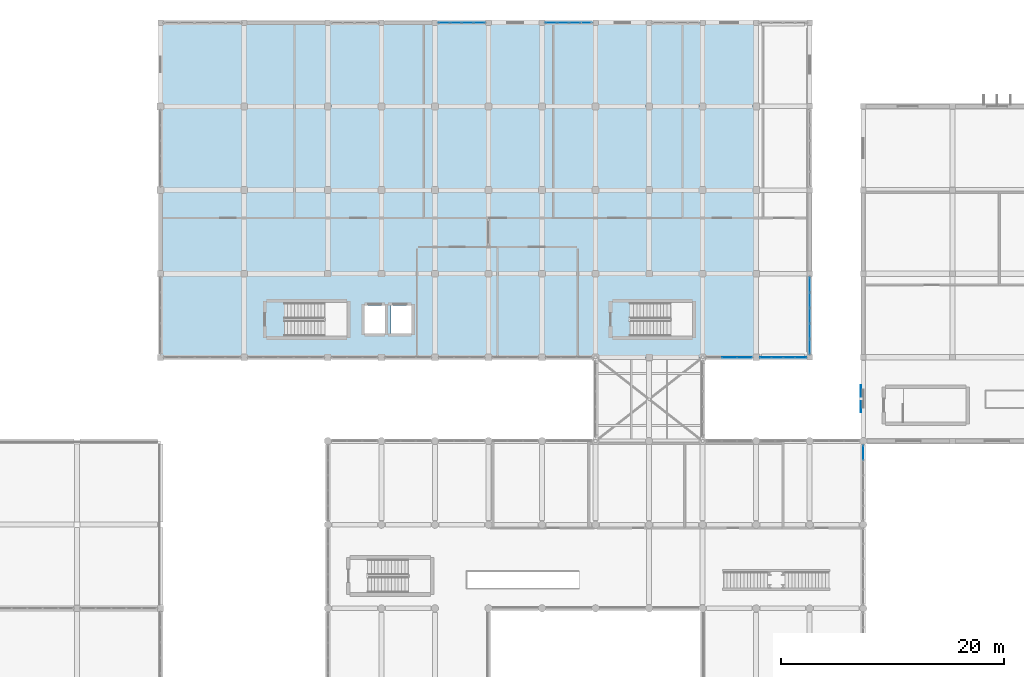
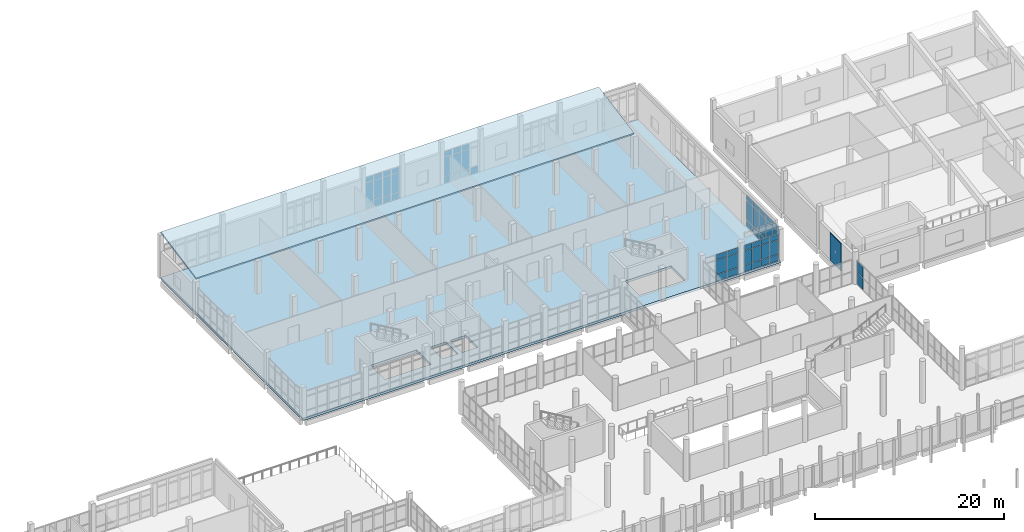
# One storey, part 134 of 164: 58 plates, 2 slabs, 6 elements without a shape of their own.
"""IFC4 building model written with IfcOpenShell, lengths in metres."""

from ifc_helpers import new_model, si_unit, direction, frame, origin, origin_2d, place, context, subcontext, project, spatial, polyline, rectangle, outline, extrude, material, layer, layer_set, type_object, element, aggregate, save


model = new_model("IFC4")

# Units and contexts
model_context = context("Model", 3, precision=1e-05, world=origin(), true_north=direction((0.0, 1.0)))
body_context = subcontext(model_context, "Body", "Model", "MODEL_VIEW")
ifc_project = project(units=[si_unit("LENGTHUNIT", "METRE"), si_unit("AREAUNIT", "SQUARE_METRE"), si_unit("VOLUMEUNIT", "CUBIC_METRE"), si_unit("PLANEANGLEUNIT", "RADIAN"), si_unit("MASSUNIT", "GRAM", prefix="KILO")], contexts=[model_context])

# Site, building, storey
site_placement = place(None, origin())
site = spatial("IfcSite", under=ifc_project, at=site_placement, CompositionType="ELEMENT")
building_placement = place(site_placement, origin())
building = spatial("IfcBuilding", under=site, at=building_placement, Name="Mawjan Specialist Oncology Clinic", CompositionType="ELEMENT")
storey_placement = place(building_placement, frame((0.0, 0.0, 5.0)))
storey = spatial("IfcBuildingStorey", under=building, at=storey_placement, Name="L01", CompositionType="ELEMENT", Elevation=5.0)

# Curtain wall, plates
ifc_material_1 = material(Name="Unitised spectrally selective aluminium curtain wall", Category="aluminium")
ifc_layer_1 = layer(ifc_material_1, 0.179931640625, Name="Unitised spectrally selective aluminium curtain wall", Category="aluminium")
ifc_layer_set_1 = layer_set([ifc_layer_1], Name="Unitised spectrally selective aluminium curtain wall")
curtain_wall_type_1 = type_object("IfcCurtainWallType", Name="CW-63", PredefinedType="NOTDEFINED", material=ifc_layer_set_1)
curtain_wall_1_placement = place(storey_placement, origin())
curtain_wall_1 = element("IfcCurtainWall", 1, at=curtain_wall_1_placement, inside=storey, type_object=curtain_wall_type_1, Name="L01 Unitised Curtain Wall CW-L01-120", PredefinedType="NOTDEFINED")
ifc_material_2 = material(Name="Spectrally selective double low-E glazing", Category="glass")
ifc_layer_2 = layer(ifc_material_2, 0.031982421875, Name="Spectrally selective double low-E glazing", Category="glass")
ifc_layer_set_2 = layer_set([ifc_layer_2], Name="Spectrally selective double low-E glazing")
plate_type_1 = type_object("IfcPlateType", Name="CW-P32", PredefinedType="CURTAIN_PANEL", material=ifc_layer_set_2)
plate_1_placement = place(storey_placement, frame((70.419921875, 113.300048828125, 0.070068359375), z_axis=(0.0, 0.0, 1.0), x_axis=(1.0, 0.0, 0.0)))
plate_1 = element("IfcPlate", 2, at=plate_1_placement, type_object=plate_type_1, Name="CW-63 panel 1.1", PredefinedType="CURTAIN_PANEL", context=body_context, shape_type="SweptSolid", body=[
    extrude(rectangle(XDim=0.9599609375, YDim=0.031982421875, at=origin_2d()), origin(), (0.0, 0.0, 1.0), 0.794921875),
])
plate_2_placement = place(storey_placement, frame((70.419921875, 113.300048828125, 0.93505859375), z_axis=(0.0, 0.0, 1.0), x_axis=(1.0, 0.0, 0.0)))
plate_2 = element("IfcPlate", 3, at=plate_2_placement, type_object=plate_type_1, Name="CW-63 panel 1.2", PredefinedType="CURTAIN_PANEL", context=body_context, shape_type="SweptSolid", body=[
    extrude(rectangle(XDim=0.9599609375, YDim=0.031982421875, at=origin_2d()), origin(), (0.0, 0.0, 1.0), 2.449951171875),
])
plate_3_placement = place(storey_placement, frame((70.419921875, 113.300048828125, 3.455078125), z_axis=(0.0, 0.0, 1.0), x_axis=(1.0, 0.0, 0.0)))
plate_3 = element("IfcPlate", 4, at=plate_3_placement, type_object=plate_type_1, Name="CW-63 panel 1.3", PredefinedType="CURTAIN_PANEL", context=body_context, shape_type="SweptSolid", body=[
    extrude(rectangle(XDim=0.9599609375, YDim=0.031982421875, at=origin_2d()), origin(), (0.0, 0.0, 1.0), 0.64501953125),
])
plate_4_placement = place(storey_placement, frame((71.467529296875, 113.300048828125, 0.070068359375), z_axis=(0.0, 0.0, 1.0), x_axis=(1.0, 0.0, 0.0)))
plate_4 = element("IfcPlate", 5, at=plate_4_placement, type_object=plate_type_1, Name="CW-63 panel 2.1", PredefinedType="CURTAIN_PANEL", context=body_context, shape_type="SweptSolid", body=[
    extrude(rectangle(XDim=0.9951171875, YDim=0.031982421875, at=origin_2d()), origin(), (0.0, 0.0, 1.0), 0.794921875),
])
plate_5_placement = place(storey_placement, frame((71.467529296875, 113.300048828125, 0.93505859375), z_axis=(0.0, 0.0, 1.0), x_axis=(1.0, 0.0, 0.0)))
plate_5 = element("IfcPlate", 6, at=plate_5_placement, type_object=plate_type_1, Name="CW-63 panel 2.2", PredefinedType="CURTAIN_PANEL", context=body_context, shape_type="SweptSolid", body=[
    extrude(rectangle(XDim=0.9951171875, YDim=0.031982421875, at=origin_2d()), origin(), (0.0, 0.0, 1.0), 2.449951171875),
])
plate_6_placement = place(storey_placement, frame((71.467529296875, 113.300048828125, 3.455078125), z_axis=(0.0, 0.0, 1.0), x_axis=(1.0, 0.0, 0.0)))
plate_6 = element("IfcPlate", 7, at=plate_6_placement, type_object=plate_type_1, Name="CW-63 panel 2.3", PredefinedType="CURTAIN_PANEL", context=body_context, shape_type="SweptSolid", body=[
    extrude(rectangle(XDim=0.9951171875, YDim=0.031982421875, at=origin_2d()), origin(), (0.0, 0.0, 1.0), 0.64501953125),
])
plate_7_placement = place(storey_placement, frame((72.532470703125, 113.300048828125, 0.070068359375), z_axis=(0.0, 0.0, 1.0), x_axis=(1.0, 0.0, 0.0)))
plate_7 = element("IfcPlate", 8, at=plate_7_placement, type_object=plate_type_1, Name="CW-63 panel 3.1", PredefinedType="CURTAIN_PANEL", context=body_context, shape_type="SweptSolid", body=[
    extrude(rectangle(XDim=0.9951171875, YDim=0.031982421875, at=origin_2d()), origin(), (0.0, 0.0, 1.0), 0.794921875),
])
plate_8_placement = place(storey_placement, frame((72.532470703125, 113.300048828125, 0.93505859375), z_axis=(0.0, 0.0, 1.0), x_axis=(1.0, 0.0, 0.0)))
plate_8 = element("IfcPlate", 9, at=plate_8_placement, type_object=plate_type_1, Name="CW-63 panel 3.2", PredefinedType="CURTAIN_PANEL", context=body_context, shape_type="SweptSolid", body=[
    extrude(rectangle(XDim=0.9951171875, YDim=0.031982421875, at=origin_2d()), origin(), (0.0, 0.0, 1.0), 2.449951171875),
])
plate_9_placement = place(storey_placement, frame((72.532470703125, 113.300048828125, 3.455078125), z_axis=(0.0, 0.0, 1.0), x_axis=(1.0, 0.0, 0.0)))
plate_9 = element("IfcPlate", 10, at=plate_9_placement, type_object=plate_type_1, Name="CW-63 panel 3.3", PredefinedType="CURTAIN_PANEL", context=body_context, shape_type="SweptSolid", body=[
    extrude(rectangle(XDim=0.9951171875, YDim=0.031982421875, at=origin_2d()), origin(), (0.0, 0.0, 1.0), 0.64501953125),
])
plate_10_placement = place(storey_placement, frame((73.580078125, 113.300048828125, 0.070068359375), z_axis=(0.0, 0.0, 1.0), x_axis=(1.0, 0.0, 0.0)))
plate_10 = element("IfcPlate", 11, at=plate_10_placement, type_object=plate_type_1, Name="CW-63 panel 4.1", PredefinedType="CURTAIN_PANEL", context=body_context, shape_type="SweptSolid", body=[
    extrude(rectangle(XDim=0.9599609375, YDim=0.031982421875, at=origin_2d()), origin(), (0.0, 0.0, 1.0), 0.794921875),
])
plate_11_placement = place(storey_placement, frame((73.580078125, 113.300048828125, 0.93505859375), z_axis=(0.0, 0.0, 1.0), x_axis=(1.0, 0.0, 0.0)))
plate_11 = element("IfcPlate", 12, at=plate_11_placement, type_object=plate_type_1, Name="CW-63 panel 4.2", PredefinedType="CURTAIN_PANEL", context=body_context, shape_type="SweptSolid", body=[
    extrude(rectangle(XDim=0.9599609375, YDim=0.031982421875, at=origin_2d()), origin(), (0.0, 0.0, 1.0), 2.449951171875),
])
plate_12_placement = place(storey_placement, frame((73.580078125, 113.300048828125, 3.455078125), z_axis=(0.0, 0.0, 1.0), x_axis=(1.0, 0.0, 0.0)))
plate_12 = element("IfcPlate", 13, at=plate_12_placement, type_object=plate_type_1, Name="CW-63 panel 4.3", PredefinedType="CURTAIN_PANEL", context=body_context, shape_type="SweptSolid", body=[
    extrude(rectangle(XDim=0.9599609375, YDim=0.031982421875, at=origin_2d()), origin(), (0.0, 0.0, 1.0), 0.64501953125),
])
aggregate(curtain_wall_1, [plate_1, plate_2, plate_3, plate_4, plate_5, plate_6, plate_7, plate_8, plate_9, plate_10, plate_11, plate_12])

curtain_wall_2_placement = place(storey_placement, origin())
curtain_wall_2 = element("IfcCurtainWall", 14, at=curtain_wall_2_placement, inside=storey, type_object=curtain_wall_type_1, Name="L01 Unitised Curtain Wall CW-L01-121", PredefinedType="NOTDEFINED")
plate_13_placement = place(storey_placement, frame((80.02001953125, 113.300048828125, 0.070068359375), z_axis=(0.0, 0.0, 1.0), x_axis=(1.0, 0.0, 0.0)))
plate_13 = element("IfcPlate", 15, at=plate_13_placement, type_object=plate_type_1, Name="CW-63 panel 1.1", PredefinedType="CURTAIN_PANEL", context=body_context, shape_type="SweptSolid", body=[
    extrude(rectangle(XDim=0.9599609375, YDim=0.031982421875, at=origin_2d()), origin(), (0.0, 0.0, 1.0), 0.794921875),
])
plate_14_placement = place(storey_placement, frame((80.02001953125, 113.300048828125, 0.93505859375), z_axis=(0.0, 0.0, 1.0), x_axis=(1.0, 0.0, 0.0)))
plate_14 = element("IfcPlate", 16, at=plate_14_placement, type_object=plate_type_1, Name="CW-63 panel 1.2", PredefinedType="CURTAIN_PANEL", context=body_context, shape_type="SweptSolid", body=[
    extrude(rectangle(XDim=0.9599609375, YDim=0.031982421875, at=origin_2d()), origin(), (0.0, 0.0, 1.0), 2.449951171875),
])
plate_15_placement = place(storey_placement, frame((80.02001953125, 113.300048828125, 3.455078125), z_axis=(0.0, 0.0, 1.0), x_axis=(1.0, 0.0, 0.0)))
plate_15 = element("IfcPlate", 17, at=plate_15_placement, type_object=plate_type_1, Name="CW-63 panel 1.3", PredefinedType="CURTAIN_PANEL", context=body_context, shape_type="SweptSolid", body=[
    extrude(rectangle(XDim=0.9599609375, YDim=0.031982421875, at=origin_2d()), origin(), (0.0, 0.0, 1.0), 0.64501953125),
])
plate_16_placement = place(storey_placement, frame((81.0673828125, 113.300048828125, 0.070068359375), z_axis=(0.0, 0.0, 1.0), x_axis=(1.0, 0.0, 0.0)))
plate_16 = element("IfcPlate", 18, at=plate_16_placement, type_object=plate_type_1, Name="CW-63 panel 2.1", PredefinedType="CURTAIN_PANEL", context=body_context, shape_type="SweptSolid", body=[
    extrude(rectangle(XDim=0.9951171875, YDim=0.031982421875, at=origin_2d()), origin(), (0.0, 0.0, 1.0), 0.794921875),
])
plate_17_placement = place(storey_placement, frame((81.0673828125, 113.300048828125, 0.93505859375), z_axis=(0.0, 0.0, 1.0), x_axis=(1.0, 0.0, 0.0)))
plate_17 = element("IfcPlate", 19, at=plate_17_placement, type_object=plate_type_1, Name="CW-63 panel 2.2", PredefinedType="CURTAIN_PANEL", context=body_context, shape_type="SweptSolid", body=[
    extrude(rectangle(XDim=0.9951171875, YDim=0.031982421875, at=origin_2d()), origin(), (0.0, 0.0, 1.0), 2.449951171875),
])
plate_18_placement = place(storey_placement, frame((81.0673828125, 113.300048828125, 3.455078125), z_axis=(0.0, 0.0, 1.0), x_axis=(1.0, 0.0, 0.0)))
plate_18 = element("IfcPlate", 20, at=plate_18_placement, type_object=plate_type_1, Name="CW-63 panel 2.3", PredefinedType="CURTAIN_PANEL", context=body_context, shape_type="SweptSolid", body=[
    extrude(rectangle(XDim=0.9951171875, YDim=0.031982421875, at=origin_2d()), origin(), (0.0, 0.0, 1.0), 0.64501953125),
])
plate_19_placement = place(storey_placement, frame((82.132568359375, 113.300048828125, 0.070068359375), z_axis=(0.0, 0.0, 1.0), x_axis=(1.0, 0.0, 0.0)))
plate_19 = element("IfcPlate", 21, at=plate_19_placement, type_object=plate_type_1, Name="CW-63 panel 3.1", PredefinedType="CURTAIN_PANEL", context=body_context, shape_type="SweptSolid", body=[
    extrude(rectangle(XDim=0.9951171875, YDim=0.031982421875, at=origin_2d()), origin(), (0.0, 0.0, 1.0), 0.794921875),
])
plate_20_placement = place(storey_placement, frame((82.132568359375, 113.300048828125, 0.93505859375), z_axis=(0.0, 0.0, 1.0), x_axis=(1.0, 0.0, 0.0)))
plate_20 = element("IfcPlate", 22, at=plate_20_placement, type_object=plate_type_1, Name="CW-63 panel 3.2", PredefinedType="CURTAIN_PANEL", context=body_context, shape_type="SweptSolid", body=[
    extrude(rectangle(XDim=0.9951171875, YDim=0.031982421875, at=origin_2d()), origin(), (0.0, 0.0, 1.0), 2.449951171875),
])
plate_21_placement = place(storey_placement, frame((82.132568359375, 113.300048828125, 3.455078125), z_axis=(0.0, 0.0, 1.0), x_axis=(1.0, 0.0, 0.0)))
plate_21 = element("IfcPlate", 23, at=plate_21_placement, type_object=plate_type_1, Name="CW-63 panel 3.3", PredefinedType="CURTAIN_PANEL", context=body_context, shape_type="SweptSolid", body=[
    extrude(rectangle(XDim=0.9951171875, YDim=0.031982421875, at=origin_2d()), origin(), (0.0, 0.0, 1.0), 0.64501953125),
])
plate_22_placement = place(storey_placement, frame((83.179931640625, 113.300048828125, 0.070068359375), z_axis=(0.0, 0.0, 1.0), x_axis=(1.0, 0.0, 0.0)))
plate_22 = element("IfcPlate", 24, at=plate_22_placement, type_object=plate_type_1, Name="CW-63 panel 4.1", PredefinedType="CURTAIN_PANEL", context=body_context, shape_type="SweptSolid", body=[
    extrude(rectangle(XDim=0.9599609375, YDim=0.031982421875, at=origin_2d()), origin(), (0.0, 0.0, 1.0), 0.794921875),
])
aggregate(curtain_wall_2, [plate_13, plate_14, plate_15, plate_16, plate_17, plate_18, plate_19, plate_20, plate_21, plate_22])

ifc_material_3 = material(Name="Unitised spectrally selective aluminium curtain wall", Category="aluminium")
ifc_layer_3 = layer(ifc_material_3, 0.179931640625, Name="Unitised spectrally selective aluminium curtain wall", Category="aluminium")
ifc_layer_set_3 = layer_set([ifc_layer_3], Name="Unitised spectrally selective aluminium curtain wall")
curtain_wall_type_2 = type_object("IfcCurtainWallType", Name="CW-65", PredefinedType="NOTDEFINED", material=ifc_layer_set_3)
curtain_wall_3_placement = place(storey_placement, origin())
curtain_wall_3 = element("IfcCurtainWall", 25, at=curtain_wall_3_placement, inside=storey, type_object=curtain_wall_type_2, Name="L01 Unitised Curtain Wall CW-L01-125", PredefinedType="NOTDEFINED")
plate_23_placement = place(storey_placement, frame((103.199951171875, 89.81640625, 0.070068359375), z_axis=(0.0, 0.0, 1.0), x_axis=(0.0, -1.0, 0.0)))
plate_23 = element("IfcPlate", 26, at=plate_23_placement, type_object=plate_type_1, Name="CW-65 panel 1.1", PredefinedType="CURTAIN_PANEL", context=body_context, shape_type="SweptSolid", body=[
    extrude(rectangle(XDim=1.287109375, YDim=0.031982421875, at=origin_2d()), origin(), (0.0, 0.0, 1.0), 0.794921875),
])
plate_24_placement = place(storey_placement, frame((103.199951171875, 89.81640625, 0.93505859375), z_axis=(0.0, 0.0, 1.0), x_axis=(0.0, -1.0, 0.0)))
plate_24 = element("IfcPlate", 27, at=plate_24_placement, type_object=plate_type_1, Name="CW-65 panel 1.2", PredefinedType="CURTAIN_PANEL", context=body_context, shape_type="SweptSolid", body=[
    extrude(rectangle(XDim=1.287109375, YDim=0.031982421875, at=origin_2d()), origin(), (0.0, 0.0, 1.0), 2.47998046875),
])
plate_25_placement = place(storey_placement, frame((103.199951171875, 89.81640625, 3.485107421875), z_axis=(0.0, 0.0, 1.0), x_axis=(0.0, -1.0, 0.0)))
plate_25 = element("IfcPlate", 28, at=plate_25_placement, type_object=plate_type_1, Name="CW-65 panel 1.3", PredefinedType="CURTAIN_PANEL", context=body_context, shape_type="SweptSolid", body=[
    extrude(rectangle(XDim=1.287109375, YDim=0.031982421875, at=origin_2d()), origin(), (0.0, 0.0, 1.0), 0.64501953125),
])
plate_26_placement = place(storey_placement, frame((103.199951171875, 88.44189453125, 0.070068359375), z_axis=(0.0, 0.0, 1.0), x_axis=(0.0, -1.0, 0.0)))
plate_26 = element("IfcPlate", 29, at=plate_26_placement, type_object=plate_type_1, Name="CW-65 panel 2.1", PredefinedType="CURTAIN_PANEL", context=body_context, shape_type="SweptSolid", body=[
    extrude(rectangle(XDim=1.322021484375, YDim=0.031982421875, at=origin_2d()), origin(), (0.0, 0.0, 1.0), 0.794921875),
])
plate_27_placement = place(storey_placement, frame((103.199951171875, 88.44189453125, 0.93505859375), z_axis=(0.0, 0.0, 1.0), x_axis=(0.0, -1.0, 0.0)))
plate_27 = element("IfcPlate", 30, at=plate_27_placement, type_object=plate_type_1, Name="CW-65 panel 2.2", PredefinedType="CURTAIN_PANEL", context=body_context, shape_type="SweptSolid", body=[
    extrude(rectangle(XDim=1.322021484375, YDim=0.031982421875, at=origin_2d()), origin(), (0.0, 0.0, 1.0), 2.47998046875),
])
plate_28_placement = place(storey_placement, frame((103.199951171875, 88.44189453125, 3.485107421875), z_axis=(0.0, 0.0, 1.0), x_axis=(0.0, -1.0, 0.0)))
plate_28 = element("IfcPlate", 31, at=plate_28_placement, type_object=plate_type_1, Name="CW-65 panel 2.3", PredefinedType="CURTAIN_PANEL", context=body_context, shape_type="SweptSolid", body=[
    extrude(rectangle(XDim=1.322021484375, YDim=0.031982421875, at=origin_2d()), origin(), (0.0, 0.0, 1.0), 0.64501953125),
])
plate_29_placement = place(storey_placement, frame((103.199951171875, 87.050048828125, 0.070068359375), z_axis=(0.0, 0.0, 1.0), x_axis=(0.0, -1.0, 0.0)))
plate_29 = element("IfcPlate", 32, at=plate_29_placement, type_object=plate_type_1, Name="CW-65 panel 3.1", PredefinedType="CURTAIN_PANEL", context=body_context, shape_type="SweptSolid", body=[
    extrude(rectangle(XDim=1.322021484375, YDim=0.031982421875, at=origin_2d()), origin(), (0.0, 0.0, 1.0), 0.794921875),
])
plate_30_placement = place(storey_placement, frame((103.199951171875, 87.050048828125, 0.93505859375), z_axis=(0.0, 0.0, 1.0), x_axis=(0.0, -1.0, 0.0)))
plate_30 = element("IfcPlate", 33, at=plate_30_placement, type_object=plate_type_1, Name="CW-65 panel 3.2", PredefinedType="CURTAIN_PANEL", context=body_context, shape_type="SweptSolid", body=[
    extrude(rectangle(XDim=1.322021484375, YDim=0.031982421875, at=origin_2d()), origin(), (0.0, 0.0, 1.0), 2.47998046875),
])
plate_31_placement = place(storey_placement, frame((103.199951171875, 87.050048828125, 3.485107421875), z_axis=(0.0, 0.0, 1.0), x_axis=(0.0, -1.0, 0.0)))
plate_31 = element("IfcPlate", 34, at=plate_31_placement, type_object=plate_type_1, Name="CW-65 panel 3.3", PredefinedType="CURTAIN_PANEL", context=body_context, shape_type="SweptSolid", body=[
    extrude(rectangle(XDim=1.322021484375, YDim=0.031982421875, at=origin_2d()), origin(), (0.0, 0.0, 1.0), 0.64501953125),
])
plate_32_placement = place(storey_placement, frame((103.199951171875, 85.657958984375, 0.070068359375), z_axis=(0.0, 0.0, 1.0), x_axis=(0.0, -1.0, 0.0)))
plate_32 = element("IfcPlate", 35, at=plate_32_placement, type_object=plate_type_1, Name="CW-65 panel 4.1", PredefinedType="CURTAIN_PANEL", context=body_context, shape_type="SweptSolid", body=[
    extrude(rectangle(XDim=1.322021484375, YDim=0.031982421875, at=origin_2d()), origin(), (0.0, 0.0, 1.0), 0.794921875),
])
plate_33_placement = place(storey_placement, frame((103.199951171875, 85.657958984375, 0.93505859375), z_axis=(0.0, 0.0, 1.0), x_axis=(0.0, -1.0, 0.0)))
plate_33 = element("IfcPlate", 36, at=plate_33_placement, type_object=plate_type_1, Name="CW-65 panel 4.2", PredefinedType="CURTAIN_PANEL", context=body_context, shape_type="SweptSolid", body=[
    extrude(rectangle(XDim=1.322021484375, YDim=0.031982421875, at=origin_2d()), origin(), (0.0, 0.0, 1.0), 2.47998046875),
])
plate_34_placement = place(storey_placement, frame((103.199951171875, 85.657958984375, 3.485107421875), z_axis=(0.0, 0.0, 1.0), x_axis=(0.0, -1.0, 0.0)))
plate_34 = element("IfcPlate", 37, at=plate_34_placement, type_object=plate_type_1, Name="CW-65 panel 4.3", PredefinedType="CURTAIN_PANEL", context=body_context, shape_type="SweptSolid", body=[
    extrude(rectangle(XDim=1.322021484375, YDim=0.031982421875, at=origin_2d()), origin(), (0.0, 0.0, 1.0), 0.64501953125),
])
plate_35_placement = place(storey_placement, frame((103.199951171875, 84.283447265625, 0.070068359375), z_axis=(0.0, 0.0, 1.0), x_axis=(0.0, -1.0, 0.0)))
plate_35 = element("IfcPlate", 38, at=plate_35_placement, type_object=plate_type_1, Name="CW-65 panel 5.1", PredefinedType="CURTAIN_PANEL", context=body_context, shape_type="SweptSolid", body=[
    extrude(rectangle(XDim=1.287109375, YDim=0.031982421875, at=origin_2d()), origin(), (0.0, 0.0, 1.0), 0.794921875),
])
plate_36_placement = place(storey_placement, frame((103.199951171875, 84.283447265625, 0.93505859375), z_axis=(0.0, 0.0, 1.0), x_axis=(0.0, -1.0, 0.0)))
plate_36 = element("IfcPlate", 39, at=plate_36_placement, type_object=plate_type_1, Name="CW-65 panel 5.2", PredefinedType="CURTAIN_PANEL", context=body_context, shape_type="SweptSolid", body=[
    extrude(rectangle(XDim=1.287109375, YDim=0.031982421875, at=origin_2d()), origin(), (0.0, 0.0, 1.0), 2.47998046875),
])
plate_37_placement = place(storey_placement, frame((103.199951171875, 84.283447265625, 3.485107421875), z_axis=(0.0, 0.0, 1.0), x_axis=(0.0, -1.0, 0.0)))
plate_37 = element("IfcPlate", 40, at=plate_37_placement, type_object=plate_type_1, Name="CW-65 panel 5.3", PredefinedType="CURTAIN_PANEL", context=body_context, shape_type="SweptSolid", body=[
    extrude(rectangle(XDim=1.287109375, YDim=0.031982421875, at=origin_2d()), origin(), (0.0, 0.0, 1.0), 0.64501953125),
])
aggregate(curtain_wall_3, [plate_23, plate_24, plate_25, plate_26, plate_27, plate_28, plate_29, plate_30, plate_31, plate_32, plate_33, plate_34, plate_35, plate_36, plate_37])

ifc_material_4 = material(Name="Unitised spectrally selective aluminium curtain wall", Category="aluminium")
ifc_layer_4 = layer(ifc_material_4, 0.179931640625, Name="Unitised spectrally selective aluminium curtain wall", Category="aluminium")
ifc_layer_set_4 = layer_set([ifc_layer_4], Name="Unitised spectrally selective aluminium curtain wall")
curtain_wall_type_3 = type_object("IfcCurtainWallType", Name="CW-66", PredefinedType="NOTDEFINED", material=ifc_layer_set_4)
curtain_wall_4_placement = place(storey_placement, origin())
curtain_wall_4 = element("IfcCurtainWall", 41, at=curtain_wall_4_placement, inside=storey, type_object=curtain_wall_type_3, Name="L01 Unitised Curtain Wall CW-L01-126", PredefinedType="NOTDEFINED")
plate_38_placement = place(storey_placement, frame((102.388671875, 83.300048828125, 0.06005859375), z_axis=(0.0, 0.0, 1.0), x_axis=(-1.0, 0.0, 0.0)))
plate_38 = element("IfcPlate", 42, at=plate_38_placement, type_object=plate_type_1, Name="CW-66 panel 1.1", PredefinedType="CURTAIN_PANEL", context=body_context, shape_type="SweptSolid", body=[
    extrude(rectangle(XDim=0.96240234375, YDim=0.031982421875, at=origin_2d()), origin(), (0.0, 0.0, 1.0), 0.81005859375),
])
plate_39_placement = place(storey_placement, frame((102.388671875, 83.300048828125, 0.93017578125), z_axis=(0.0, 0.0, 1.0), x_axis=(-1.0, 0.0, 0.0)))
plate_39 = element("IfcPlate", 43, at=plate_39_placement, type_object=plate_type_1, Name="CW-66 panel 1.2", PredefinedType="CURTAIN_PANEL", context=body_context, shape_type="SweptSolid", body=[
    extrude(rectangle(XDim=0.96240234375, YDim=0.031982421875, at=origin_2d()), origin(), (0.0, 0.0, 1.0), 1.824951171875),
])
plate_40_placement = place(storey_placement, frame((102.388671875, 83.300048828125, 2.81494140625), z_axis=(0.0, 0.0, 1.0), x_axis=(-1.0, 0.0, 0.0)))
plate_40 = element("IfcPlate", 44, at=plate_40_placement, type_object=plate_type_1, Name="CW-66 panel 1.3", PredefinedType="CURTAIN_PANEL", context=body_context, shape_type="SweptSolid", body=[
    extrude(rectangle(XDim=0.96240234375, YDim=0.031982421875, at=origin_2d()), origin(), (0.0, 0.0, 1.0), 0.659912109375),
])
plate_41_placement = place(storey_placement, frame((101.351318359375, 83.300048828125, 0.06005859375), z_axis=(0.0, 0.0, 1.0), x_axis=(-1.0, 0.0, 0.0)))
plate_41 = element("IfcPlate", 45, at=plate_41_placement, type_object=plate_type_1, Name="CW-66 panel 2.1", PredefinedType="CURTAIN_PANEL", context=body_context, shape_type="SweptSolid", body=[
    extrude(rectangle(XDim=0.992431640625, YDim=0.031982421875, at=origin_2d()), origin(), (0.0, 0.0, 1.0), 0.81005859375),
])
plate_42_placement = place(storey_placement, frame((101.351318359375, 83.300048828125, 0.93017578125), z_axis=(0.0, 0.0, 1.0), x_axis=(-1.0, 0.0, 0.0)))
plate_42 = element("IfcPlate", 46, at=plate_42_placement, type_object=plate_type_1, Name="CW-66 panel 2.2", PredefinedType="CURTAIN_PANEL", context=body_context, shape_type="SweptSolid", body=[
    extrude(rectangle(XDim=0.992431640625, YDim=0.031982421875, at=origin_2d()), origin(), (0.0, 0.0, 1.0), 1.824951171875),
])
plate_43_placement = place(storey_placement, frame((101.351318359375, 83.300048828125, 2.81494140625), z_axis=(0.0, 0.0, 1.0), x_axis=(-1.0, 0.0, 0.0)))
plate_43 = element("IfcPlate", 47, at=plate_43_placement, type_object=plate_type_1, Name="CW-66 panel 2.3", PredefinedType="CURTAIN_PANEL", context=body_context, shape_type="SweptSolid", body=[
    extrude(rectangle(XDim=0.992431640625, YDim=0.031982421875, at=origin_2d()), origin(), (0.0, 0.0, 1.0), 0.659912109375),
])
plate_44_placement = place(storey_placement, frame((100.298828125, 83.300048828125, 0.06005859375), z_axis=(0.0, 0.0, 1.0), x_axis=(-1.0, 0.0, 0.0)))
plate_44 = element("IfcPlate", 48, at=plate_44_placement, type_object=plate_type_1, Name="CW-66 panel 3.1", PredefinedType="CURTAIN_PANEL", context=body_context, shape_type="SweptSolid", body=[
    extrude(rectangle(XDim=0.992431640625, YDim=0.031982421875, at=origin_2d()), origin(), (0.0, 0.0, 1.0), 0.81005859375),
])
plate_45_placement = place(storey_placement, frame((100.298828125, 83.300048828125, 0.93017578125), z_axis=(0.0, 0.0, 1.0), x_axis=(-1.0, 0.0, 0.0)))
plate_45 = element("IfcPlate", 49, at=plate_45_placement, type_object=plate_type_1, Name="CW-66 panel 3.2", PredefinedType="CURTAIN_PANEL", context=body_context, shape_type="SweptSolid", body=[
    extrude(rectangle(XDim=0.992431640625, YDim=0.031982421875, at=origin_2d()), origin(), (0.0, 0.0, 1.0), 1.824951171875),
])
plate_46_placement = place(storey_placement, frame((100.298828125, 83.300048828125, 2.81494140625), z_axis=(0.0, 0.0, 1.0), x_axis=(-1.0, 0.0, 0.0)))
plate_46 = element("IfcPlate", 50, at=plate_46_placement, type_object=plate_type_1, Name="CW-66 panel 3.3", PredefinedType="CURTAIN_PANEL", context=body_context, shape_type="SweptSolid", body=[
    extrude(rectangle(XDim=0.992431640625, YDim=0.031982421875, at=origin_2d()), origin(), (0.0, 0.0, 1.0), 0.659912109375),
])
plate_47_placement = place(storey_placement, frame((99.26123046875, 83.300048828125, 0.06005859375), z_axis=(0.0, 0.0, 1.0), x_axis=(-1.0, 0.0, 0.0)))
plate_47 = element("IfcPlate", 51, at=plate_47_placement, type_object=plate_type_1, Name="CW-66 panel 4.1", PredefinedType="CURTAIN_PANEL", context=body_context, shape_type="SweptSolid", body=[
    extrude(rectangle(XDim=0.96240234375, YDim=0.031982421875, at=origin_2d()), origin(), (0.0, 0.0, 1.0), 0.81005859375),
])
plate_48_placement = place(storey_placement, frame((99.26123046875, 83.300048828125, 0.93017578125), z_axis=(0.0, 0.0, 1.0), x_axis=(-1.0, 0.0, 0.0)))
plate_48 = element("IfcPlate", 52, at=plate_48_placement, type_object=plate_type_1, Name="CW-66 panel 4.2", PredefinedType="CURTAIN_PANEL", context=body_context, shape_type="SweptSolid", body=[
    extrude(rectangle(XDim=0.96240234375, YDim=0.031982421875, at=origin_2d()), origin(), (0.0, 0.0, 1.0), 1.824951171875),
])
plate_49_placement = place(storey_placement, frame((99.26123046875, 83.300048828125, 2.81494140625), z_axis=(0.0, 0.0, 1.0), x_axis=(-1.0, 0.0, 0.0)))
plate_49 = element("IfcPlate", 53, at=plate_49_placement, type_object=plate_type_1, Name="CW-66 panel 4.3", PredefinedType="CURTAIN_PANEL", context=body_context, shape_type="SweptSolid", body=[
    extrude(rectangle(XDim=0.96240234375, YDim=0.031982421875, at=origin_2d()), origin(), (0.0, 0.0, 1.0), 0.659912109375),
])
aggregate(curtain_wall_4, [plate_38, plate_39, plate_40, plate_41, plate_42, plate_43, plate_44, plate_45, plate_46, plate_47, plate_48, plate_49])

ifc_material_5 = material(Name="Unitised spectrally selective aluminium curtain wall", Category="aluminium")
ifc_layer_5 = layer(ifc_material_5, 0.179931640625, Name="Unitised spectrally selective aluminium curtain wall", Category="aluminium")
ifc_layer_set_5 = layer_set([ifc_layer_5], Name="Unitised spectrally selective aluminium curtain wall")
curtain_wall_type_4 = type_object("IfcCurtainWallType", Name="CW-59", PredefinedType="NOTDEFINED", material=ifc_layer_set_5)
curtain_wall_5_placement = place(storey_placement, origin())
curtain_wall_5 = element("IfcCurtainWall", 54, at=curtain_wall_5_placement, inside=storey, type_object=curtain_wall_type_4, Name="L01 Unitised Curtain Wall CW-L01-127", PredefinedType="NOTDEFINED")
plate_50_placement = place(storey_placement, frame((97.37158203125, 83.300048828125, 0.06005859375), z_axis=(0.0, 0.0, 1.0), x_axis=(-1.0, 0.0, 0.0)))
plate_50 = element("IfcPlate", 55, at=plate_50_placement, type_object=plate_type_1, Name="CW-59 panel 1.1", PredefinedType="CURTAIN_PANEL", context=body_context, shape_type="SweptSolid", body=[
    extrude(rectangle(XDim=1.296630859375, YDim=0.031982421875, at=origin_2d()), origin(), (0.0, 0.0, 1.0), 0.81005859375),
])
plate_51_placement = place(storey_placement, frame((97.37158203125, 83.300048828125, 0.93017578125), z_axis=(0.0, 0.0, 1.0), x_axis=(-1.0, 0.0, 0.0)))
plate_51 = element("IfcPlate", 56, at=plate_51_placement, type_object=plate_type_1, Name="CW-59 panel 1.2", PredefinedType="CURTAIN_PANEL", context=body_context, shape_type="SweptSolid", body=[
    extrude(rectangle(XDim=1.296630859375, YDim=0.031982421875, at=origin_2d()), origin(), (0.0, 0.0, 1.0), 1.824951171875),
])
plate_52_placement = place(storey_placement, frame((97.37158203125, 83.300048828125, 2.81494140625), z_axis=(0.0, 0.0, 1.0), x_axis=(-1.0, 0.0, 0.0)))
plate_52 = element("IfcPlate", 57, at=plate_52_placement, type_object=plate_type_1, Name="CW-59 panel 1.3", PredefinedType="CURTAIN_PANEL", context=body_context, shape_type="SweptSolid", body=[
    extrude(rectangle(XDim=1.296630859375, YDim=0.031982421875, at=origin_2d()), origin(), (0.0, 0.0, 1.0), 0.659912109375),
])
plate_53_placement = place(storey_placement, frame((96.0, 83.300048828125, 0.06005859375), z_axis=(0.0, 0.0, 1.0), x_axis=(-1.0, 0.0, 0.0)))
plate_53 = element("IfcPlate", 58, at=plate_53_placement, type_object=plate_type_1, Name="CW-59 panel 2.1", PredefinedType="CURTAIN_PANEL", context=body_context, shape_type="SweptSolid", body=[
    extrude(rectangle(XDim=1.32666015625, YDim=0.031982421875, at=origin_2d()), origin(), (0.0, 0.0, 1.0), 0.81005859375),
])
plate_54_placement = place(storey_placement, frame((96.0, 83.300048828125, 0.93017578125), z_axis=(0.0, 0.0, 1.0), x_axis=(-1.0, 0.0, 0.0)))
plate_54 = element("IfcPlate", 59, at=plate_54_placement, type_object=plate_type_1, Name="CW-59 panel 2.2", PredefinedType="CURTAIN_PANEL", context=body_context, shape_type="SweptSolid", body=[
    extrude(rectangle(XDim=1.32666015625, YDim=0.031982421875, at=origin_2d()), origin(), (0.0, 0.0, 1.0), 1.824951171875),
])
plate_55_placement = place(storey_placement, frame((96.0, 83.300048828125, 2.81494140625), z_axis=(0.0, 0.0, 1.0), x_axis=(-1.0, 0.0, 0.0)))
plate_55 = element("IfcPlate", 60, at=plate_55_placement, type_object=plate_type_1, Name="CW-59 panel 2.3", PredefinedType="CURTAIN_PANEL", context=body_context, shape_type="SweptSolid", body=[
    extrude(rectangle(XDim=1.32666015625, YDim=0.031982421875, at=origin_2d()), origin(), (0.0, 0.0, 1.0), 0.659912109375),
])
aggregate(curtain_wall_5, [plate_50, plate_51, plate_52, plate_53, plate_54, plate_55])

ifc_material_6 = material(Name="Unitised spectrally selective aluminium curtain wall", Category="aluminium")
ifc_layer_6 = layer(ifc_material_6, 0.179931640625, Name="Unitised spectrally selective aluminium curtain wall", Category="aluminium")
ifc_layer_set_6 = layer_set([ifc_layer_6], Name="Unitised spectrally selective aluminium curtain wall")
curtain_wall_type_5 = type_object("IfcCurtainWallType", Name="CW-55", PredefinedType="NOTDEFINED", material=ifc_layer_set_6)
curtain_wall_6_placement = place(storey_placement, origin())
curtain_wall_6 = element("IfcCurtainWall", 61, at=curtain_wall_6_placement, inside=storey, type_object=curtain_wall_type_5, Name="L01 Unitised Curtain Wall CW-L01-132", PredefinedType="NOTDEFINED")
plate_56_placement = place(storey_placement, frame((108.0, 74.7578125, 0.06494140625), z_axis=(0.0, 0.0, 1.0), x_axis=(0.0, -1.0, 0.0)))
plate_56 = element("IfcPlate", 62, at=plate_56_placement, type_object=plate_type_1, Name="CW-55 panel 1.1", PredefinedType="CURTAIN_PANEL", context=body_context, shape_type="SweptSolid", body=[
    extrude(rectangle(XDim=1.264404296875, YDim=0.031982421875, at=origin_2d()), origin(), (0.0, 0.0, 1.0), 1.472412109375),
])
plate_57_placement = place(storey_placement, frame((108.0, 74.7578125, 1.6025390625), z_axis=(0.0, 0.0, 1.0), x_axis=(0.0, -1.0, 0.0)))
plate_57 = element("IfcPlate", 63, at=plate_57_placement, type_object=plate_type_1, Name="CW-55 panel 1.2", PredefinedType="CURTAIN_PANEL", context=body_context, shape_type="SweptSolid", body=[
    extrude(rectangle(XDim=1.264404296875, YDim=0.031982421875, at=origin_2d()), origin(), (0.0, 0.0, 1.0), 1.472412109375),
])
aggregate(curtain_wall_6, [plate_56, plate_57])

# Slabs
ifc_material_7 = material(Name="Concrete C35/45", Category="concrete")
ifc_layer_7 = layer(ifc_material_7, 0.300048828125, Name="Concrete C35/45", Category="concrete")
ifc_layer_set_7 = layer_set([ifc_layer_7], Name="Concrete C35/45")
slab_type_1 = type_object("IfcSlabType", Name="FS-300", PredefinedType="FLOOR", material=ifc_layer_set_7)
slab_1_placement = place(storey_placement, frame((0.0, 0.0, -0.300048828125)))
element("IfcSlab", 64, at=slab_1_placement, inside=storey, type_object=slab_type_1, Name="L01 Day Procedure and Pharmacy Wing Slab SLB-V5-L01", PredefinedType="FLOOR", context=body_context, shape_type="SweptSolid", body=[
    extrude(outline(polyline([(45.0, 83.300048828125), (103.199951171875, 83.300048828125), (103.199951171875, 113.300048828125), (45.0, 113.300048828125), (45.0, 83.300048828125)]), holes=[polyline([(56.10009765625, 85.199951171875), (61.699951171875, 85.199951171875), (61.699951171875, 88.199951171875), (56.10009765625, 88.199951171875), (56.10009765625, 85.199951171875)]), polyline([(63.25, 85.449951171875), (65.14990234375, 85.449951171875), (65.14990234375, 87.949951171875), (63.25, 87.949951171875), (63.25, 85.449951171875)]), polyline([(65.64990234375, 85.449951171875), (67.550048828125, 85.449951171875), (67.550048828125, 87.949951171875), (65.64990234375, 87.949951171875), (65.64990234375, 85.449951171875)]), polyline([(87.10009765625, 85.199951171875), (92.699951171875, 85.199951171875), (92.699951171875, 88.199951171875), (87.10009765625, 88.199951171875), (87.10009765625, 85.199951171875)])]), origin(), (0.0, 0.0, 1.0), 0.300048828125),
])
ifc_material_8 = material(Name="Concrete C35/45", Category="concrete")
ifc_layer_8 = layer(ifc_material_8, 0.219970703125, Name="Concrete C35/45", Category="concrete")
ifc_layer_set_8 = layer_set([ifc_layer_8], Name="Concrete C35/45")
slab_type_2 = type_object("IfcSlabType", Name="RF-SLP220", PredefinedType="ROOF", material=ifc_layer_set_8)
slab_2_placement = place(storey_placement, frame((45.0, 105.820068359375, 4.429931640625), z_axis=(0.0, -0.187798548502, 0.982207567259), x_axis=(1.0, 0.0, 0.0)))
element("IfcSlab", 65, at=slab_2_placement, inside=storey, type_object=slab_type_2, Name="Day Procedure L01 North Step-Back Sloped Roof", PredefinedType="ROOF", context=body_context, shape_type="SweptSolid", body=[
    extrude(outline(polyline([(0.0, 0.0), (53.3798828125, 0.0), (53.3798828125, 7.61547835517609), (0.0, 7.61547835517609), (0.0, 0.0)])), origin(), (0.0, 0.0, -1.0), 0.219970703125),
])

# Plate
ifc_material_9 = material(Name="Perforated coral-toned GFRC rawshan screen", Category="stone")
ifc_layer_9 = layer(ifc_material_9, 0.074951171875, Name="Perforated coral-toned GFRC rawshan screen", Category="stone")
ifc_layer_set_9 = layer_set([ifc_layer_9], Name="Perforated coral-toned GFRC rawshan screen")
plate_type_2 = type_object("IfcPlateType", Name="RWS-75", PredefinedType="SHEET", material=ifc_layer_set_9)
plate_58_placement = place(storey_placement, frame((107.79541015625, 79.58740234375, 0.0), z_axis=(0.0, 0.0, 1.0), x_axis=(0.0, 1.0, 0.0)))
element("IfcPlate", 66, at=plate_58_placement, inside=storey, type_object=plate_type_2, Name="L01 Perforated Rawshan Screen Panel 001", PredefinedType="SHEET", context=body_context, shape_type="SweptSolid", body=[
    extrude(rectangle(XDim=2.39990234375, YDim=0.074951171875, at=origin_2d()), origin(), (0.0, 0.0, 1.0), 3.534912109375),
])

save(model, "model.ifc")
